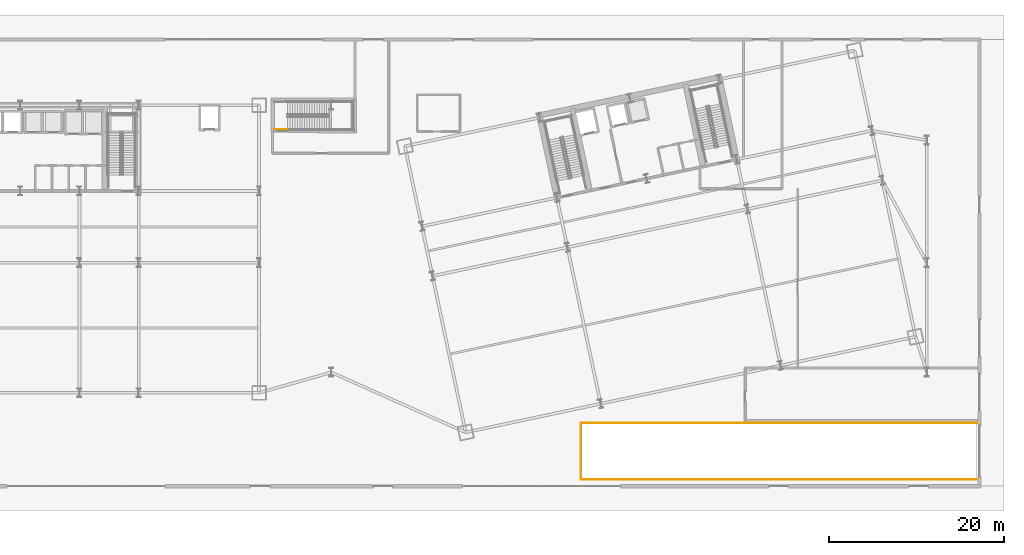
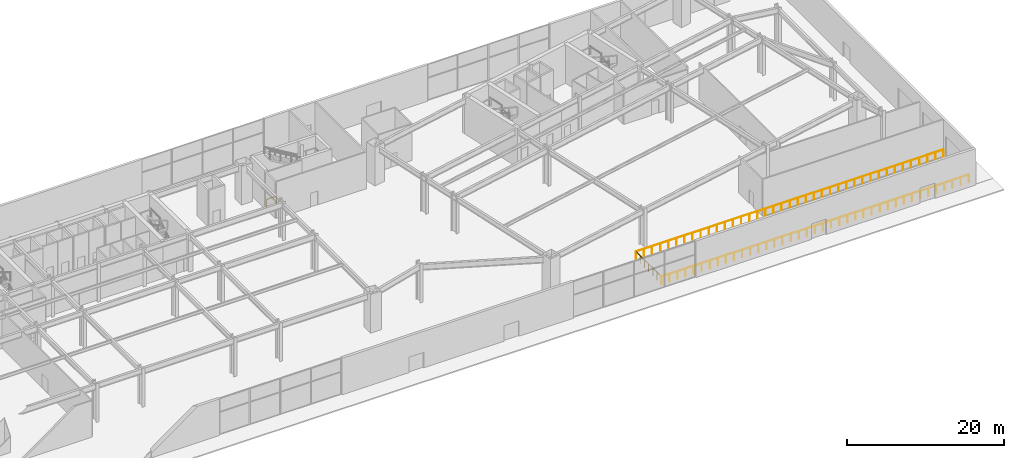
# One storey, part 27 of 30: 4 railings.
"""IFC4 building model written with IfcOpenShell, lengths in metres."""

import ifcopenshell
import ifcopenshell.guid

model = None  # the IFC model being written
_history = None  # IfcOwnerHistory: only IFC2X3 demands one
_inside = {}  # id of a spatial element -> (the spatial element, [elements in it])
_under = {}  # id of a project, library or spatial element -> (it, [spatial elements below it])
_declared = {}  # id of a project -> (the project, [libraries it declares])
_typed = {}  # id of a type object -> (the type object, [elements of that type])
_made_of = {}  # id of a material, layer set ... -> (it, [elements and type objects made of it])


def new_model(schema):
    """Start an empty IFC model of exactly this schema.

    Asked for "IFC4X3", IfcOpenShell would pick the latest addendum, in which some entities
    have other attributes; the version numbers below select the first issue.
    IFC2X3 requires an IfcOwnerHistory on every rooted entity: one is made here for all.
    """
    global model, _history
    if schema == "IFC4X3":
        model = ifcopenshell.file(schema_version=(4, 3, 0, 0))
    else:
        model = ifcopenshell.file(schema=schema)
    _inside.clear()
    _under.clear()
    _declared.clear()
    _typed.clear()
    _made_of.clear()
    _history = None
    if model.schema == "IFC2X3":
        org = make("IfcOrganization", Name="unknown")
        user = make(
            "IfcPersonAndOrganization",
            ThePerson=make("IfcPerson", FamilyName="unknown"),
            TheOrganization=org,
        )
        app = make(
            "IfcApplication",
            ApplicationDeveloper=org,
            Version="unknown",
            ApplicationFullName="unknown",
            ApplicationIdentifier="unknown",
        )
        _history = make(
            "IfcOwnerHistory",
            OwningUser=user,
            OwningApplication=app,
            ChangeAction="ADDED",
            CreationDate=0,
        )
    return model


def make(cls, **values):
    """One entity of the class cls with the attributes given. An attribute that is None is left unset."""
    return model.create_entity(
        cls, **{name: value for name, value in values.items() if value is not None}
    )


def rooted(cls, **values):
    """An entity with a GlobalId (a new one), such as an element, a storey or a relation."""
    return make(cls, GlobalId=ifcopenshell.guid.new(), OwnerHistory=_history, **values)


def si_unit(unit_type, name, prefix=None):
    """IfcSIUnit, for example si_unit("LENGTHUNIT", "METRE", prefix="MILLI")."""
    return make("IfcSIUnit", UnitType=unit_type, Prefix=prefix, Name=name)


def assignment(units):
    """IfcUnitAssignment: the units of a project."""
    return None if units is None else make("IfcUnitAssignment", Units=units)


def point(xyz):
    """IfcCartesianPoint."""
    return None if xyz is None else make("IfcCartesianPoint", Coordinates=xyz)


def direction(xyz):
    """IfcDirection."""
    return None if xyz is None else make("IfcDirection", DirectionRatios=xyz)


def frame(location, z_axis=None, x_axis=None):
    """IfcAxis2Placement3D, a coordinate frame: its origin and axes. An axis left out is left unset."""
    return make(
        "IfcAxis2Placement3D",
        Location=point(location),
        Axis=direction(z_axis),
        RefDirection=direction(x_axis),
    )


def frame_2d(location, x_axis=None):
    """IfcAxis2Placement2D, a coordinate frame in the plane: its origin and x axis."""
    return make(
        "IfcAxis2Placement2D", Location=point(location), RefDirection=direction(x_axis)
    )


def origin():
    """The frame at (0, 0, 0) with its axes left unset."""
    return frame((0.0, 0.0, 0.0))


def origin_2d():
    """The frame at (0, 0) in the plane with its x axis left unset."""
    return frame_2d((0.0, 0.0))


def place(relative_to, where):
    """IfcLocalPlacement: puts the frame where relative to a parent placement (None: the world)."""
    return make(
        "IfcLocalPlacement", PlacementRelTo=relative_to, RelativePlacement=where
    )


def context(
    kind, dimensions, precision=None, world=None, true_north=None, identifier=None
):
    """IfcGeometricRepresentationContext, for example the 3D "Model" context."""
    return make(
        "IfcGeometricRepresentationContext",
        ContextIdentifier=identifier,
        ContextType=kind,
        CoordinateSpaceDimension=dimensions,
        Precision=precision,
        WorldCoordinateSystem=world,
        TrueNorth=true_north,
    )


def subcontext(parent, identifier, kind, view, scale=None):
    """IfcGeometricRepresentationSubContext, for example "Body" below "Model"."""
    return make(
        "IfcGeometricRepresentationSubContext",
        ContextIdentifier=identifier,
        ContextType=kind,
        ParentContext=parent,
        TargetScale=scale,
        TargetView=view,
    )


def project(units=None, contexts=None):
    """IfcProject with its units and contexts."""
    return rooted(
        "IfcProject",
        Name="project",
        RepresentationContexts=contexts,
        UnitsInContext=assignment(units),
    )


def spatial(cls, under=None, at=None, **own):
    """A site, building, storey or space (cls), placed at a placement, below another one or the project."""
    s = rooted(cls, ObjectPlacement=at, **own)
    if under is not None:
        _under.setdefault(under.id(), (under, []))[1].append(s)
    return s


def profile(cls, at=None, kind="AREA", **sizes):
    """A parametric profile (cls). Its sizes go by their IFC names, for example OverallWidth=200.0."""
    return make(cls, ProfileType=kind, Position=at, **sizes)


def rectangle(**sizes):
    """IfcRectangleProfileDef."""
    return profile("IfcRectangleProfileDef", **sizes)


def extrude(swept, where, along, depth):
    """IfcExtrudedAreaSolid: the profile swept, set in the frame where, extruded along a direction by depth."""
    return make(
        "IfcExtrudedAreaSolid",
        SweptArea=swept,
        Position=where,
        ExtrudedDirection=direction(along),
        Depth=depth,
    )


def shape(context_of_items, identifier, shape_type, items):
    """IfcShapeRepresentation: the items that make up one representation, for example the "Body"."""
    return make(
        "IfcShapeRepresentation",
        ContextOfItems=context_of_items,
        RepresentationIdentifier=identifier,
        RepresentationType=shape_type,
        Items=items,
    )


def material(Name=None, Category=None):
    """IfcMaterial."""
    return make("IfcMaterial", Name=Name, Category=Category)


def made_of(thing, what):
    """Note that an element or type object is made of a material, layer set ...; save() writes the relation."""
    if what is not None:
        _made_of.setdefault(what.id(), (what, []))[1].append(thing)
    return thing


def type_object(cls, material=None, **own):
    """A type object (cls), such as IfcWallType, which elements share."""
    return made_of(rooted(cls, **own), material)


def element(
    cls,
    number,
    at=None,
    inside=None,
    cuts=None,
    type_object=None,
    material=None,
    context=None,
    identifier="Body",
    shape_type=None,
    held_by="IfcProductDefinitionShape",
    body=None,
    shapes=None,
    **own,
):
    """One element of the class cls, such as IfcWall. Its Tag is "e" and its number.

    at: its placement. inside: the storey or other place that contains it. cuts: it is an
    opening in that element (IfcRelVoidsElement). A single representation is given by context,
    identifier, shape_type and body (its items); several are given by shapes. held_by: the class
    of the entity that holds the representations. save() writes the other relations.
    """
    e = rooted(cls, Tag="e%d" % number, ObjectPlacement=at, **own)
    if body is not None:
        shapes = [shape(context, identifier, shape_type, body)]
    if shapes is not None:
        e.Representation = make(held_by, Representations=shapes)
    if inside is not None:
        _inside.setdefault(inside.id(), (inside, []))[1].append(e)
    if cuts is not None:
        rooted(
            "IfcRelVoidsElement", RelatingBuildingElement=cuts, RelatedOpeningElement=e
        )
    if type_object is not None:
        _typed.setdefault(type_object.id(), (type_object, []))[1].append(e)
    return made_of(e, material)


def aggregate(whole, parts):
    """IfcRelAggregates: a whole, such as a stair, and the parts it consists of."""
    return rooted("IfcRelAggregates", RelatingObject=whole, RelatedObjects=parts)


def save(model, path):
    """Write the relations noted so far, then the file.

    IfcRelAggregates (storeys below a building ...), IfcRelContainedInSpatialStructure (elements
    in a storey), IfcRelDefinesByType, IfcRelAssociatesMaterial and IfcRelDeclares: one each for
    every whole, place, type object, material and project.
    """
    for whole, parts in _under.values():
        aggregate(whole, parts)
    for where, things in _inside.values():
        rooted(
            "IfcRelContainedInSpatialStructure",
            RelatedElements=things,
            RelatingStructure=where,
        )
    for kind, things in _typed.values():
        rooted("IfcRelDefinesByType", RelatedObjects=things, RelatingType=kind)
    for what, things in _made_of.values():
        rooted("IfcRelAssociatesMaterial", RelatedObjects=things, RelatingMaterial=what)
    for by, libraries in _declared.values():
        rooted("IfcRelDeclares", RelatingContext=by, RelatedDefinitions=libraries)
    model.write(path)


model = new_model("IFC4")

# Units and contexts
model_context = context("Model", 3, precision=1e-05, world=origin(), true_north=direction((0.0, 1.0)))
body_context = subcontext(model_context, "Body", "Model", "MODEL_VIEW")
ifc_project = project(units=[si_unit("LENGTHUNIT", "METRE"), si_unit("AREAUNIT", "SQUARE_METRE"), si_unit("VOLUMEUNIT", "CUBIC_METRE"), si_unit("PLANEANGLEUNIT", "RADIAN"), si_unit("MASSUNIT", "GRAM", prefix="KILO")], contexts=[model_context])

# Site, building, storey
site_placement = place(None, origin())
site = spatial("IfcSite", under=ifc_project, at=site_placement, CompositionType="ELEMENT")
building_placement = place(site_placement, origin())
building = spatial("IfcBuilding", under=site, at=building_placement, Name="Haevon Station Towers", CompositionType="ELEMENT")
storey_placement = place(building_placement, origin())
storey = spatial("IfcBuildingStorey", under=building, at=storey_placement, Name="L00", CompositionType="ELEMENT", Elevation=0.0)

# Railings
ifc_material = material(Name="Steel S355", Category="steel")
railing_type_1 = type_object("IfcRailingType", Name="BAL-ATR1200", PredefinedType="BALUSTRADE", material=ifc_material)
railing_1_placement = place(storey_placement, frame((101.47998046875, 11.719970703125, 0.0)))
element("IfcRailing", 1, at=railing_1_placement, inside=storey, type_object=railing_type_1, Name="L00 Vehicle Ramp North Guardrail", PredefinedType="BALUSTRADE", context=body_context, shape_type="SweptSolid", body=[
    extrude(rectangle(XDim=0.048095703125, YDim=0.048095703125, at=origin_2d()), frame((0.0, 0.0, 1.17578125), z_axis=(1.0, 0.0, 0.0), x_axis=(0.0, 1.0, 0.0)), (0.0, 0.0, 1.0), 45.219970703125),
    extrude(rectangle(XDim=0.0419921875, YDim=0.0419921875, at=origin_2d()), origin(), (0.0, 0.0, 1.0), 1.15185546875),
    extrude(rectangle(XDim=0.0419921875, YDim=0.0419921875, at=origin_2d()), frame((1.18994140625, 0.0, 0.0)), (0.0, 0.0, 1.0), 1.15185546875),
    extrude(rectangle(XDim=0.0419921875, YDim=0.0419921875, at=origin_2d()), frame((2.3798828125, 0.0, 0.0)), (0.0, 0.0, 1.0), 1.15185546875),
    extrude(rectangle(XDim=0.0419921875, YDim=0.0419921875, at=origin_2d()), frame((3.570068359375, 0.0, 0.0)), (0.0, 0.0, 1.0), 1.15185546875),
    extrude(rectangle(XDim=0.0419921875, YDim=0.0419921875, at=origin_2d()), frame((4.760009765625, 0.0, 0.0)), (0.0, 0.0, 1.0), 1.15185546875),
    extrude(rectangle(XDim=0.0419921875, YDim=0.0419921875, at=origin_2d()), frame((5.949951171875, 0.0, 0.0)), (0.0, 0.0, 1.0), 1.15185546875),
    extrude(rectangle(XDim=0.0419921875, YDim=0.0419921875, at=origin_2d()), frame((7.139892578125, 0.0, 0.0)), (0.0, 0.0, 1.0), 1.15185546875),
    extrude(rectangle(XDim=0.0419921875, YDim=0.0419921875, at=origin_2d()), frame((8.330078125, 0.0, 0.0)), (0.0, 0.0, 1.0), 1.15185546875),
    extrude(rectangle(XDim=0.0419921875, YDim=0.0419921875, at=origin_2d()), frame((9.52001953125, 0.0, 0.0)), (0.0, 0.0, 1.0), 1.15185546875),
    extrude(rectangle(XDim=0.0419921875, YDim=0.0419921875, at=origin_2d()), frame((10.7099609375, 0.0, 0.0)), (0.0, 0.0, 1.0), 1.15185546875),
    extrude(rectangle(XDim=0.0419921875, YDim=0.0419921875, at=origin_2d()), frame((11.89990234375, 0.0, 0.0)), (0.0, 0.0, 1.0), 1.15185546875),
    extrude(rectangle(XDim=0.0419921875, YDim=0.0419921875, at=origin_2d()), frame((13.090087890625, 0.0, 0.0)), (0.0, 0.0, 1.0), 1.15185546875),
    extrude(rectangle(XDim=0.0419921875, YDim=0.0419921875, at=origin_2d()), frame((14.280029296875, 0.0, 0.0)), (0.0, 0.0, 1.0), 1.15185546875),
    extrude(rectangle(XDim=0.0419921875, YDim=0.0419921875, at=origin_2d()), frame((15.469970703125, 0.0, 0.0)), (0.0, 0.0, 1.0), 1.15185546875),
    extrude(rectangle(XDim=0.0419921875, YDim=0.0419921875, at=origin_2d()), frame((16.659912109375, 0.0, 0.0)), (0.0, 0.0, 1.0), 1.15185546875),
    extrude(rectangle(XDim=0.0419921875, YDim=0.0419921875, at=origin_2d()), frame((17.85009765625, 0.0, 0.0)), (0.0, 0.0, 1.0), 1.15185546875),
    extrude(rectangle(XDim=0.0419921875, YDim=0.0419921875, at=origin_2d()), frame((19.0400390625, 0.0, 0.0)), (0.0, 0.0, 1.0), 1.15185546875),
    extrude(rectangle(XDim=0.0419921875, YDim=0.0419921875, at=origin_2d()), frame((20.22998046875, 0.0, 0.0)), (0.0, 0.0, 1.0), 1.15185546875),
    extrude(rectangle(XDim=0.0419921875, YDim=0.0419921875, at=origin_2d()), frame((21.419921875, 0.0, 0.0)), (0.0, 0.0, 1.0), 1.15185546875),
    extrude(rectangle(XDim=0.0419921875, YDim=0.0419921875, at=origin_2d()), frame((22.60986328125, 0.0, 0.0)), (0.0, 0.0, 1.0), 1.15185546875),
    extrude(rectangle(XDim=0.0419921875, YDim=0.0419921875, at=origin_2d()), frame((23.800048828125, 0.0, 0.0)), (0.0, 0.0, 1.0), 1.15185546875),
    extrude(rectangle(XDim=0.0419921875, YDim=0.0419921875, at=origin_2d()), frame((24.989990234375, 0.0, 0.0)), (0.0, 0.0, 1.0), 1.15185546875),
    extrude(rectangle(XDim=0.0419921875, YDim=0.0419921875, at=origin_2d()), frame((26.179931640625, 0.0, 0.0)), (0.0, 0.0, 1.0), 1.15185546875),
    extrude(rectangle(XDim=0.0419921875, YDim=0.0419921875, at=origin_2d()), frame((27.369873046875, 0.0, 0.0)), (0.0, 0.0, 1.0), 1.15185546875),
    extrude(rectangle(XDim=0.0419921875, YDim=0.0419921875, at=origin_2d()), frame((28.56005859375, 0.0, 0.0)), (0.0, 0.0, 1.0), 1.15185546875),
    extrude(rectangle(XDim=0.0419921875, YDim=0.0419921875, at=origin_2d()), frame((29.75, 0.0, 0.0)), (0.0, 0.0, 1.0), 1.15185546875),
    extrude(rectangle(XDim=0.0419921875, YDim=0.0419921875, at=origin_2d()), frame((30.93994140625, 0.0, 0.0)), (0.0, 0.0, 1.0), 1.15185546875),
    extrude(rectangle(XDim=0.0419921875, YDim=0.0419921875, at=origin_2d()), frame((32.1298828125, 0.0, 0.0)), (0.0, 0.0, 1.0), 1.15185546875),
    extrude(rectangle(XDim=0.0419921875, YDim=0.0419921875, at=origin_2d()), frame((33.320068359375, 0.0, 0.0)), (0.0, 0.0, 1.0), 1.15185546875),
    extrude(rectangle(XDim=0.0419921875, YDim=0.0419921875, at=origin_2d()), frame((34.510009765625, 0.0, 0.0)), (0.0, 0.0, 1.0), 1.15185546875),
    extrude(rectangle(XDim=0.0419921875, YDim=0.0419921875, at=origin_2d()), frame((35.699951171875, 0.0, 0.0)), (0.0, 0.0, 1.0), 1.15185546875),
    extrude(rectangle(XDim=0.0419921875, YDim=0.0419921875, at=origin_2d()), frame((36.889892578125, 0.0, 0.0)), (0.0, 0.0, 1.0), 1.15185546875),
    extrude(rectangle(XDim=0.0419921875, YDim=0.0419921875, at=origin_2d()), frame((38.080078125, 0.0, 0.0)), (0.0, 0.0, 1.0), 1.15185546875),
    extrude(rectangle(XDim=0.0419921875, YDim=0.0419921875, at=origin_2d()), frame((39.27001953125, 0.0, 0.0)), (0.0, 0.0, 1.0), 1.15185546875),
    extrude(rectangle(XDim=0.0419921875, YDim=0.0419921875, at=origin_2d()), frame((40.4599609375, 0.0, 0.0)), (0.0, 0.0, 1.0), 1.15185546875),
    extrude(rectangle(XDim=0.0419921875, YDim=0.0419921875, at=origin_2d()), frame((41.64990234375, 0.0, 0.0)), (0.0, 0.0, 1.0), 1.15185546875),
    extrude(rectangle(XDim=0.0419921875, YDim=0.0419921875, at=origin_2d()), frame((42.840087890625, 0.0, 0.0)), (0.0, 0.0, 1.0), 1.15185546875),
    extrude(rectangle(XDim=0.0419921875, YDim=0.0419921875, at=origin_2d()), frame((44.030029296875, 0.0, 0.0)), (0.0, 0.0, 1.0), 1.15185546875),
    extrude(rectangle(XDim=0.0419921875, YDim=0.0419921875, at=origin_2d()), frame((45.219970703125, 0.0, 0.0)), (0.0, 0.0, 1.0), 1.15185546875),
])
railing_2_placement = place(storey_placement, frame((101.47998046875, 5.280029296875, 0.0)))
element("IfcRailing", 2, at=railing_2_placement, inside=storey, type_object=railing_type_1, Name="L00 Vehicle Ramp South Guardrail", PredefinedType="BALUSTRADE", context=body_context, shape_type="SweptSolid", body=[
    extrude(rectangle(XDim=0.048095703125, YDim=0.048095703125, at=origin_2d()), frame((0.0, 0.0, 1.17578125), z_axis=(1.0, 0.0, 0.0), x_axis=(0.0, 1.0, 0.0)), (0.0, 0.0, 1.0), 45.219970703125),
    extrude(rectangle(XDim=0.0419921875, YDim=0.0419921875, at=origin_2d()), origin(), (0.0, 0.0, 1.0), 1.15185546875),
    extrude(rectangle(XDim=0.0419921875, YDim=0.0419921875, at=origin_2d()), frame((1.18994140625, 0.0, 0.0)), (0.0, 0.0, 1.0), 1.15185546875),
    extrude(rectangle(XDim=0.0419921875, YDim=0.0419921875, at=origin_2d()), frame((2.3798828125, 0.0, 0.0)), (0.0, 0.0, 1.0), 1.15185546875),
    extrude(rectangle(XDim=0.0419921875, YDim=0.0419921875, at=origin_2d()), frame((3.570068359375, 0.0, 0.0)), (0.0, 0.0, 1.0), 1.15185546875),
    extrude(rectangle(XDim=0.0419921875, YDim=0.0419921875, at=origin_2d()), frame((4.760009765625, 0.0, 0.0)), (0.0, 0.0, 1.0), 1.15185546875),
    extrude(rectangle(XDim=0.0419921875, YDim=0.0419921875, at=origin_2d()), frame((5.949951171875, 0.0, 0.0)), (0.0, 0.0, 1.0), 1.15185546875),
    extrude(rectangle(XDim=0.0419921875, YDim=0.0419921875, at=origin_2d()), frame((7.139892578125, 0.0, 0.0)), (0.0, 0.0, 1.0), 1.15185546875),
    extrude(rectangle(XDim=0.0419921875, YDim=0.0419921875, at=origin_2d()), frame((8.330078125, 0.0, 0.0)), (0.0, 0.0, 1.0), 1.15185546875),
    extrude(rectangle(XDim=0.0419921875, YDim=0.0419921875, at=origin_2d()), frame((9.52001953125, 0.0, 0.0)), (0.0, 0.0, 1.0), 1.15185546875),
    extrude(rectangle(XDim=0.0419921875, YDim=0.0419921875, at=origin_2d()), frame((10.7099609375, 0.0, 0.0)), (0.0, 0.0, 1.0), 1.15185546875),
    extrude(rectangle(XDim=0.0419921875, YDim=0.0419921875, at=origin_2d()), frame((11.89990234375, 0.0, 0.0)), (0.0, 0.0, 1.0), 1.15185546875),
    extrude(rectangle(XDim=0.0419921875, YDim=0.0419921875, at=origin_2d()), frame((13.090087890625, 0.0, 0.0)), (0.0, 0.0, 1.0), 1.15185546875),
    extrude(rectangle(XDim=0.0419921875, YDim=0.0419921875, at=origin_2d()), frame((14.280029296875, 0.0, 0.0)), (0.0, 0.0, 1.0), 1.15185546875),
    extrude(rectangle(XDim=0.0419921875, YDim=0.0419921875, at=origin_2d()), frame((15.469970703125, 0.0, 0.0)), (0.0, 0.0, 1.0), 1.15185546875),
    extrude(rectangle(XDim=0.0419921875, YDim=0.0419921875, at=origin_2d()), frame((16.659912109375, 0.0, 0.0)), (0.0, 0.0, 1.0), 1.15185546875),
    extrude(rectangle(XDim=0.0419921875, YDim=0.0419921875, at=origin_2d()), frame((17.85009765625, 0.0, 0.0)), (0.0, 0.0, 1.0), 1.15185546875),
    extrude(rectangle(XDim=0.0419921875, YDim=0.0419921875, at=origin_2d()), frame((19.0400390625, 0.0, 0.0)), (0.0, 0.0, 1.0), 1.15185546875),
    extrude(rectangle(XDim=0.0419921875, YDim=0.0419921875, at=origin_2d()), frame((20.22998046875, 0.0, 0.0)), (0.0, 0.0, 1.0), 1.15185546875),
    extrude(rectangle(XDim=0.0419921875, YDim=0.0419921875, at=origin_2d()), frame((21.419921875, 0.0, 0.0)), (0.0, 0.0, 1.0), 1.15185546875),
    extrude(rectangle(XDim=0.0419921875, YDim=0.0419921875, at=origin_2d()), frame((22.60986328125, 0.0, 0.0)), (0.0, 0.0, 1.0), 1.15185546875),
    extrude(rectangle(XDim=0.0419921875, YDim=0.0419921875, at=origin_2d()), frame((23.800048828125, 0.0, 0.0)), (0.0, 0.0, 1.0), 1.15185546875),
    extrude(rectangle(XDim=0.0419921875, YDim=0.0419921875, at=origin_2d()), frame((24.989990234375, 0.0, 0.0)), (0.0, 0.0, 1.0), 1.15185546875),
    extrude(rectangle(XDim=0.0419921875, YDim=0.0419921875, at=origin_2d()), frame((26.179931640625, 0.0, 0.0)), (0.0, 0.0, 1.0), 1.15185546875),
    extrude(rectangle(XDim=0.0419921875, YDim=0.0419921875, at=origin_2d()), frame((27.369873046875, 0.0, 0.0)), (0.0, 0.0, 1.0), 1.15185546875),
    extrude(rectangle(XDim=0.0419921875, YDim=0.0419921875, at=origin_2d()), frame((28.56005859375, 0.0, 0.0)), (0.0, 0.0, 1.0), 1.15185546875),
    extrude(rectangle(XDim=0.0419921875, YDim=0.0419921875, at=origin_2d()), frame((29.75, 0.0, 0.0)), (0.0, 0.0, 1.0), 1.15185546875),
    extrude(rectangle(XDim=0.0419921875, YDim=0.0419921875, at=origin_2d()), frame((30.93994140625, 0.0, 0.0)), (0.0, 0.0, 1.0), 1.15185546875),
    extrude(rectangle(XDim=0.0419921875, YDim=0.0419921875, at=origin_2d()), frame((32.1298828125, 0.0, 0.0)), (0.0, 0.0, 1.0), 1.15185546875),
    extrude(rectangle(XDim=0.0419921875, YDim=0.0419921875, at=origin_2d()), frame((33.320068359375, 0.0, 0.0)), (0.0, 0.0, 1.0), 1.15185546875),
    extrude(rectangle(XDim=0.0419921875, YDim=0.0419921875, at=origin_2d()), frame((34.510009765625, 0.0, 0.0)), (0.0, 0.0, 1.0), 1.15185546875),
    extrude(rectangle(XDim=0.0419921875, YDim=0.0419921875, at=origin_2d()), frame((35.699951171875, 0.0, 0.0)), (0.0, 0.0, 1.0), 1.15185546875),
    extrude(rectangle(XDim=0.0419921875, YDim=0.0419921875, at=origin_2d()), frame((36.889892578125, 0.0, 0.0)), (0.0, 0.0, 1.0), 1.15185546875),
    extrude(rectangle(XDim=0.0419921875, YDim=0.0419921875, at=origin_2d()), frame((38.080078125, 0.0, 0.0)), (0.0, 0.0, 1.0), 1.15185546875),
    extrude(rectangle(XDim=0.0419921875, YDim=0.0419921875, at=origin_2d()), frame((39.27001953125, 0.0, 0.0)), (0.0, 0.0, 1.0), 1.15185546875),
    extrude(rectangle(XDim=0.0419921875, YDim=0.0419921875, at=origin_2d()), frame((40.4599609375, 0.0, 0.0)), (0.0, 0.0, 1.0), 1.15185546875),
    extrude(rectangle(XDim=0.0419921875, YDim=0.0419921875, at=origin_2d()), frame((41.64990234375, 0.0, 0.0)), (0.0, 0.0, 1.0), 1.15185546875),
    extrude(rectangle(XDim=0.0419921875, YDim=0.0419921875, at=origin_2d()), frame((42.840087890625, 0.0, 0.0)), (0.0, 0.0, 1.0), 1.15185546875),
    extrude(rectangle(XDim=0.0419921875, YDim=0.0419921875, at=origin_2d()), frame((44.030029296875, 0.0, 0.0)), (0.0, 0.0, 1.0), 1.15185546875),
    extrude(rectangle(XDim=0.0419921875, YDim=0.0419921875, at=origin_2d()), frame((45.219970703125, 0.0, 0.0)), (0.0, 0.0, 1.0), 1.15185546875),
])
railing_3_placement = place(storey_placement, frame((101.47998046875, 5.280029296875, 0.0)))
element("IfcRailing", 3, at=railing_3_placement, inside=storey, type_object=railing_type_1, Name="L00 Vehicle Ramp West Guardrail", PredefinedType="BALUSTRADE", context=body_context, shape_type="SweptSolid", body=[
    extrude(rectangle(XDim=0.048095703125, YDim=0.048095703125, at=origin_2d()), frame((0.0, 0.0, 1.17578125), z_axis=(0.0, 1.0, 0.0), x_axis=(-1.0, 0.0, 0.0)), (0.0, 0.0, 1.0), 6.43994140625),
    extrude(rectangle(XDim=0.0419921875, YDim=0.0419921875, at=origin_2d()), origin(), (0.0, 0.0, 1.0), 1.15185546875),
    extrude(rectangle(XDim=0.0419921875, YDim=0.0419921875, at=origin_2d()), frame((0.0, 1.0732421875, 0.0)), (0.0, 0.0, 1.0), 1.15185546875),
    extrude(rectangle(XDim=0.0419921875, YDim=0.0419921875, at=origin_2d()), frame((0.0, 2.146728515625, 0.0)), (0.0, 0.0, 1.0), 1.15185546875),
    extrude(rectangle(XDim=0.0419921875, YDim=0.0419921875, at=origin_2d()), frame((0.0, 3.219970703125, 0.0)), (0.0, 0.0, 1.0), 1.15185546875),
    extrude(rectangle(XDim=0.0419921875, YDim=0.0419921875, at=origin_2d()), frame((0.0, 4.293212890625, 0.0)), (0.0, 0.0, 1.0), 1.15185546875),
    extrude(rectangle(XDim=0.0419921875, YDim=0.0419921875, at=origin_2d()), frame((0.0, 5.36669921875, 0.0)), (0.0, 0.0, 1.0), 1.15185546875),
    extrude(rectangle(XDim=0.0419921875, YDim=0.0419921875, at=origin_2d()), frame((0.0, 6.43994140625, 0.0)), (0.0, 0.0, 1.0), 1.15185546875),
])
railing_type_2 = type_object("IfcRailingType", Name="GRD-STR1200", PredefinedType="GUARDRAIL", material=ifc_material)
railing_4_placement = place(storey_placement, frame((66.5, 45.25, 0.0)))
element("IfcRailing", 4, at=railing_4_placement, inside=storey, type_object=railing_type_2, Name="L00 ST6 Stair Guard 8", PredefinedType="GUARDRAIL", context=body_context, shape_type="SweptSolid", body=[
    extrude(rectangle(XDim=0.048095703125, YDim=0.048095703125, at=origin_2d()), frame((0.0, 0.0, 1.17578125), z_axis=(1.0, 0.0, 0.0), x_axis=(0.0, 1.0, 0.0)), (0.0, 0.0, 1.0), 1.5),
    extrude(rectangle(XDim=0.0419921875, YDim=0.0419921875, at=origin_2d()), origin(), (0.0, 0.0, 1.0), 1.15185546875),
    extrude(rectangle(XDim=0.0419921875, YDim=0.0419921875, at=origin_2d()), frame((1.5, 0.0, 0.0)), (0.0, 0.0, 1.0), 1.15185546875),
])

save(model, "model.ifc")
